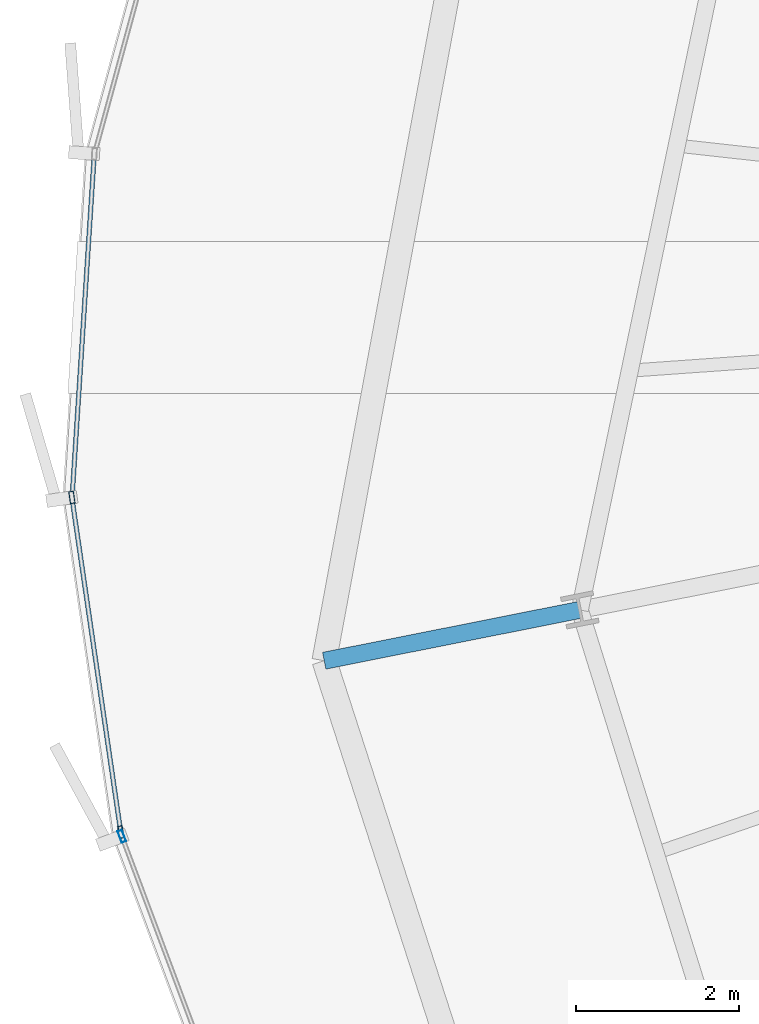
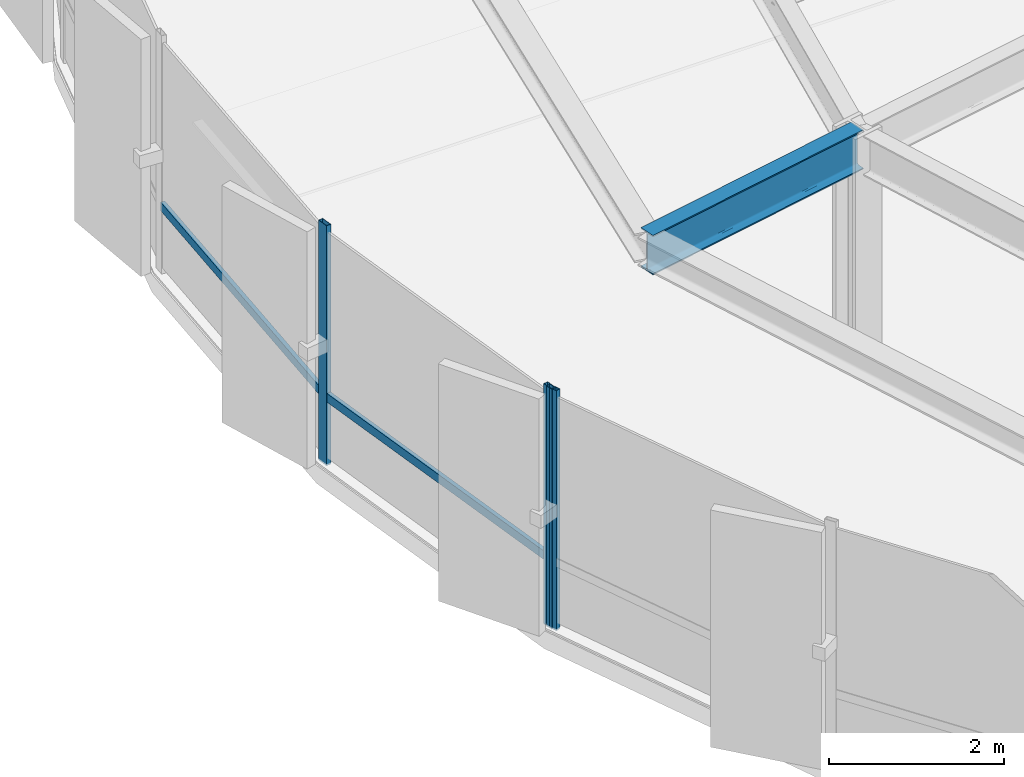
# One storey, part 7 of 35: 5 members, 1 beam, 2 elements without a shape of their own.
"""IFC4 building model written with IfcOpenShell, lengths in metres."""

from ifc_helpers import new_model, si_unit, direction, frame, origin, origin_2d, place, context, subcontext, project, spatial, hollow_rectangle, i_section, extrude, source, transform, mapped, material, layer, layer_set, material_profile, profile_set, type_object, element, aggregate, save


model = new_model("IFC4")

# Units and contexts
model_context = context("Model", 3, precision=1e-05, world=origin(), true_north=direction((0.0, 1.0)))
body_context = subcontext(model_context, "Body", "Model", "MODEL_VIEW")
ifc_project = project(units=[si_unit("LENGTHUNIT", "METRE"), si_unit("AREAUNIT", "SQUARE_METRE"), si_unit("VOLUMEUNIT", "CUBIC_METRE"), si_unit("PLANEANGLEUNIT", "RADIAN"), si_unit("MASSUNIT", "GRAM", prefix="KILO"), si_unit("THERMODYNAMICTEMPERATUREUNIT", "KELVIN")], contexts=[model_context])

# Site, building, storey
site_placement = place(None, origin())
site = spatial("IfcSite", under=ifc_project, at=site_placement, CompositionType="ELEMENT")
building_placement = place(site_placement, origin())
building = spatial("IfcBuilding", under=site, at=building_placement, Name="Kethvar Cultural Tower", CompositionType="ELEMENT")
storey_placement = place(building_placement, frame((0.0, 0.0, 92.800048828125)))
storey = spatial("IfcBuildingStorey", under=building, at=storey_placement, Name="L22", CompositionType="ELEMENT", Elevation=92.800048828125)

# Beam
ifc_material_1 = material(Name="Steel S355J2", Category="steel")
ifc_material_profile_1 = material_profile(ifc_material_1, i_section(OverallWidth=0.2099609375, OverallDepth=0.550048828125, WebThickness=0.010986328125, FlangeThickness=0.01708984375, FilletRadius=0.02392578125, at=origin_2d()), Name="Steel S355J2 — IPE550")
ifc_profile_set_1 = profile_set([ifc_material_profile_1], Name="Steel S355J2 — IPE550")
beam_type = type_object("IfcBeamType", Name="BM-IPE550", PredefinedType="BEAM", material=ifc_profile_set_1)
shared_shape_1 = source(origin(), body_context, "Body", "SweptSolid", [
    extrude(i_section(OverallWidth=0.2099609375, OverallDepth=0.550048828125, WebThickness=0.010986328125, FlangeThickness=0.01708984375, FilletRadius=0.02392578125, at=origin_2d()), origin(), (0.0, 0.0, 1.0), 3.199951171875),
])
beam_placement = place(storey_placement, frame((24.185302734375, 23.3017578125, 3.072998046875), z_axis=(-0.980785550224, -0.195088965533, 0.0), x_axis=(0.195088965533, -0.980785550224, 0.0)))
element("IfcBeam", 1, at=beam_placement, inside=storey, type_object=beam_type, Name="L22 Perimeter Cantilever Beam RC-09", PredefinedType="BEAM", context=body_context, shape_type="MappedRepresentation", body=[
    mapped(shared_shape_1, transform((0.0, 0.0, 0.0), scale=1.0)),
])

# Curtain wall, members
ifc_material_2 = material(Name="Aluminium 6063-T6", Category="aluminium")
ifc_layer = layer(ifc_material_2, 0.179931640625, Name="Aluminium 6063-T6", Category="aluminium")
ifc_layer_set = layer_set([ifc_layer], Name="Aluminium 6063-T6 (180 mm)")
curtain_wall_type = type_object("IfcCurtainWallType", Name="CW-SYS-03-Z2", PredefinedType="NOTDEFINED", material=ifc_layer_set)
curtain_wall_1_placement = place(storey_placement, origin())
curtain_wall_1 = element("IfcCurtainWall", 2, at=curtain_wall_1_placement, inside=storey, type_object=curtain_wall_type, Name="L22 Curtain Wall Run 03", PredefinedType="NOTDEFINED")
ifc_material_profile_2 = material_profile(ifc_material_2, hollow_rectangle(XDim=0.06005859375, YDim=0.14990234375, WallThickness=0.0048828125, at=origin_2d()), Name="Aluminium 6063-T6 — RHS150x60x5")
ifc_profile_set_2 = profile_set([ifc_material_profile_2], Name="Aluminium 6063-T6 — RHS150x60x5")
member_type_1 = type_object("IfcMemberType", Name="CW-SYS-03-Z2-MUL", PredefinedType="MULLION", material=ifc_profile_set_2)
shared_shape_2 = source(origin(), body_context, "Body", "SweptSolid", [
    extrude(hollow_rectangle(XDim=0.06005859375, YDim=0.14990234375, WallThickness=0.0048828125, at=origin_2d()), origin(), (0.0, 0.0, 1.0), 3.349853515625),
])
member_1_placement = place(storey_placement, frame((17.94921875, 24.682861328125, 0.0), z_axis=(0.0, 0.0, 1.0), x_axis=(0.989508145247, 0.144477093305, 0.0)))
member_1 = element("IfcMember", 3, at=member_1_placement, type_object=member_type_1, Name="CW-L22-R03 Mullion 6", PredefinedType="MULLION", context=body_context, shape_type="MappedRepresentation", body=[
    mapped(shared_shape_2, transform((0.0, 0.0, 0.0), scale=1.0)),
])
member_2_placement = place(storey_placement, frame((18.54931640625, 20.573974609375, 0.0), z_axis=(0.0, 0.0, 1.0), x_axis=(0.989508145247, 0.144477093305, 0.0)))
member_2 = element("IfcMember", 4, at=member_2_placement, type_object=member_type_1, Name="CW-L22-R03 Mullion 7", PredefinedType="MULLION", context=body_context, shape_type="MappedRepresentation", body=[
    mapped(shared_shape_2, transform((0.0, 0.0, 0.0), scale=1.0)),
])

# Curtain wall, member
curtain_wall_2_placement = place(storey_placement, origin())
curtain_wall_2 = element("IfcCurtainWall", 5, at=curtain_wall_2_placement, inside=storey, type_object=curtain_wall_type, Name="L22 Curtain Wall Run 04", PredefinedType="NOTDEFINED")
member_3_placement = place(storey_placement, frame((18.5625, 20.5224609375, 0.0), z_axis=(0.0, 0.0, 1.0), x_axis=(0.936721078293, 0.350076593736, 0.0)))
member_3 = element("IfcMember", 6, at=member_3_placement, type_object=member_type_1, Name="CW-L22-R04 Mullion 1", PredefinedType="MULLION", context=body_context, shape_type="MappedRepresentation", body=[
    mapped(shared_shape_2, transform((0.0, 0.0, 0.0), scale=1.0)),
])
aggregate(curtain_wall_2, [member_3])

# Member
ifc_material_profile_3 = material_profile(ifc_material_2, hollow_rectangle(XDim=0.054931640625, YDim=0.1201171875, WallThickness=0.00390625, at=origin_2d()), Name="Aluminium 6063-T6 — RHS120x55x4")
ifc_profile_set_3 = profile_set([ifc_material_profile_3], Name="Aluminium 6063-T6 — RHS120x55x4")
member_type_2 = type_object("IfcMemberType", Name="CW-SYS-03-Z2-TRN", PredefinedType="USERDEFINED", material=ifc_profile_set_3)
shared_shape_3 = source(origin(), body_context, "Body", "SweptSolid", [
    extrude(hollow_rectangle(XDim=0.054931640625, YDim=0.1201171875, WallThickness=0.00390625, at=origin_2d()), origin(), (0.0, 0.0, 1.0), 4.165283203125),
])
member_4_placement = place(storey_placement, frame((18.2216796875, 28.8583984375, 0.949951171875), z_axis=(-0.064534796976, -0.997915457331, 0.0), x_axis=(0.997915457331, -0.064534796976, 0.0)))
member_4 = element("IfcMember", 7, at=member_4_placement, type_object=member_type_2, Name="CW-L22-R03 Transom 5", ObjectType="TRANSOM", PredefinedType="USERDEFINED", context=body_context, shape_type="MappedRepresentation", body=[
    mapped(shared_shape_3, transform((0.0, 0.0, 0.0), scale=1.0)),
])

shared_shape_4 = source(origin(), body_context, "Body", "SweptSolid", [
    extrude(hollow_rectangle(XDim=0.054931640625, YDim=0.1201171875, WallThickness=0.00390625, at=origin_2d()), origin(), (0.0, 0.0, 1.0), 4.105224609375),
])
member_5_placement = place(storey_placement, frame((17.955322265625, 24.64013671875, 0.949951171875), z_axis=(0.144517987823, -0.989502173416, 0.0), x_axis=(0.989502173416, 0.144517987823, 0.0)))
member_5 = element("IfcMember", 8, at=member_5_placement, type_object=member_type_2, Name="CW-L22-R03 Transom 6", ObjectType="TRANSOM", PredefinedType="USERDEFINED", context=body_context, shape_type="MappedRepresentation", body=[
    mapped(shared_shape_4, transform((0.0, 0.0, 0.0), scale=1.0)),
])

aggregate(curtain_wall_1, [member_1, member_2, member_4, member_5])

save(model, "model.ifc")
